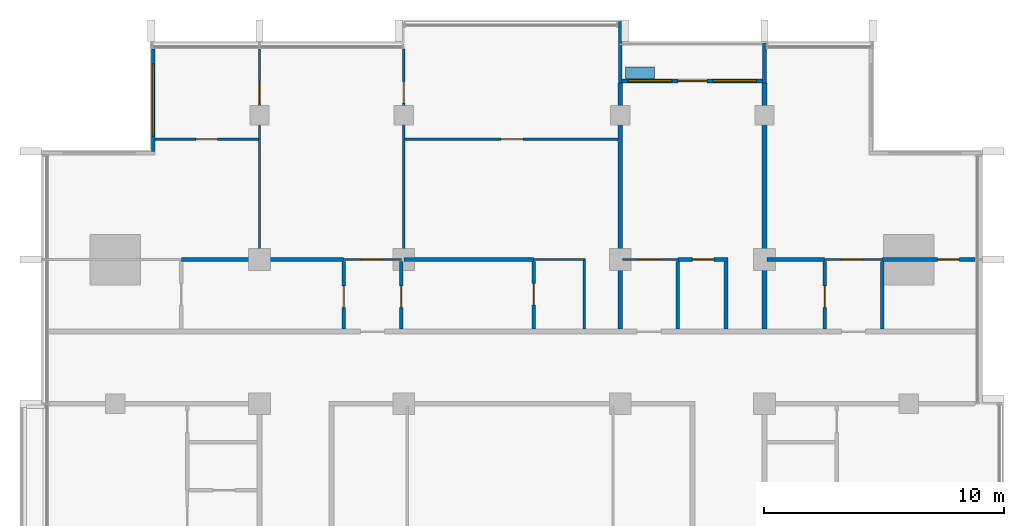
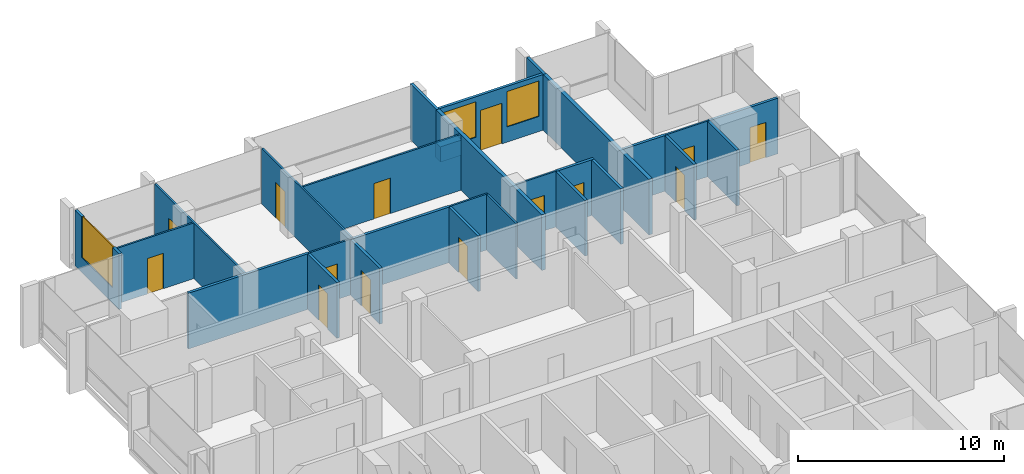
# One storey, part 10 of 16: 28 walls, 14 doors, 3 windows, 17 openings.
"""IFC4 building model written with IfcOpenShell, lengths in metres."""

import ifcopenshell
import ifcopenshell.guid

model = None  # the IFC model being written
_history = None  # IfcOwnerHistory: only IFC2X3 demands one
_inside = {}  # id of a spatial element -> (the spatial element, [elements in it])
_under = {}  # id of a project, library or spatial element -> (it, [spatial elements below it])
_declared = {}  # id of a project -> (the project, [libraries it declares])
_typed = {}  # id of a type object -> (the type object, [elements of that type])
_made_of = {}  # id of a material, layer set ... -> (it, [elements and type objects made of it])


def new_model(schema):
    """Start an empty IFC model of exactly this schema.

    Asked for "IFC4X3", IfcOpenShell would pick the latest addendum, in which some entities
    have other attributes; the version numbers below select the first issue.
    IFC2X3 requires an IfcOwnerHistory on every rooted entity: one is made here for all.
    """
    global model, _history
    if schema == "IFC4X3":
        model = ifcopenshell.file(schema_version=(4, 3, 0, 0))
    else:
        model = ifcopenshell.file(schema=schema)
    _inside.clear()
    _under.clear()
    _declared.clear()
    _typed.clear()
    _made_of.clear()
    _history = None
    if model.schema == "IFC2X3":
        org = make("IfcOrganization", Name="unknown")
        user = make(
            "IfcPersonAndOrganization",
            ThePerson=make("IfcPerson", FamilyName="unknown"),
            TheOrganization=org,
        )
        app = make(
            "IfcApplication",
            ApplicationDeveloper=org,
            Version="unknown",
            ApplicationFullName="unknown",
            ApplicationIdentifier="unknown",
        )
        _history = make(
            "IfcOwnerHistory",
            OwningUser=user,
            OwningApplication=app,
            ChangeAction="ADDED",
            CreationDate=0,
        )
    return model


def make(cls, **values):
    """One entity of the class cls with the attributes given. An attribute that is None is left unset."""
    return model.create_entity(
        cls, **{name: value for name, value in values.items() if value is not None}
    )


def rooted(cls, **values):
    """An entity with a GlobalId (a new one), such as an element, a storey or a relation."""
    return make(cls, GlobalId=ifcopenshell.guid.new(), OwnerHistory=_history, **values)


def si_unit(unit_type, name, prefix=None):
    """IfcSIUnit, for example si_unit("LENGTHUNIT", "METRE", prefix="MILLI")."""
    return make("IfcSIUnit", UnitType=unit_type, Prefix=prefix, Name=name)


def assignment(units):
    """IfcUnitAssignment: the units of a project."""
    return None if units is None else make("IfcUnitAssignment", Units=units)


def point(xyz):
    """IfcCartesianPoint."""
    return None if xyz is None else make("IfcCartesianPoint", Coordinates=xyz)


def direction(xyz):
    """IfcDirection."""
    return None if xyz is None else make("IfcDirection", DirectionRatios=xyz)


def frame(location, z_axis=None, x_axis=None):
    """IfcAxis2Placement3D, a coordinate frame: its origin and axes. An axis left out is left unset."""
    return make(
        "IfcAxis2Placement3D",
        Location=point(location),
        Axis=direction(z_axis),
        RefDirection=direction(x_axis),
    )


def frame_2d(location, x_axis=None):
    """IfcAxis2Placement2D, a coordinate frame in the plane: its origin and x axis."""
    return make(
        "IfcAxis2Placement2D", Location=point(location), RefDirection=direction(x_axis)
    )


def origin():
    """The frame at (0, 0, 0) with its axes left unset."""
    return frame((0.0, 0.0, 0.0))


def place(relative_to, where):
    """IfcLocalPlacement: puts the frame where relative to a parent placement (None: the world)."""
    return make(
        "IfcLocalPlacement", PlacementRelTo=relative_to, RelativePlacement=where
    )


def context(
    kind, dimensions, precision=None, world=None, true_north=None, identifier=None
):
    """IfcGeometricRepresentationContext, for example the 3D "Model" context."""
    return make(
        "IfcGeometricRepresentationContext",
        ContextIdentifier=identifier,
        ContextType=kind,
        CoordinateSpaceDimension=dimensions,
        Precision=precision,
        WorldCoordinateSystem=world,
        TrueNorth=true_north,
    )


def subcontext(parent, identifier, kind, view, scale=None):
    """IfcGeometricRepresentationSubContext, for example "Body" below "Model"."""
    return make(
        "IfcGeometricRepresentationSubContext",
        ContextIdentifier=identifier,
        ContextType=kind,
        ParentContext=parent,
        TargetScale=scale,
        TargetView=view,
    )


def project(units=None, contexts=None):
    """IfcProject with its units and contexts."""
    return rooted(
        "IfcProject",
        Name="project",
        RepresentationContexts=contexts,
        UnitsInContext=assignment(units),
    )


def spatial(cls, under=None, at=None, **own):
    """A site, building, storey or space (cls), placed at a placement, below another one or the project."""
    s = rooted(cls, ObjectPlacement=at, **own)
    if under is not None:
        _under.setdefault(under.id(), (under, []))[1].append(s)
    return s


def profile(cls, at=None, kind="AREA", **sizes):
    """A parametric profile (cls). Its sizes go by their IFC names, for example OverallWidth=200.0."""
    return make(cls, ProfileType=kind, Position=at, **sizes)


def rectangle(**sizes):
    """IfcRectangleProfileDef."""
    return profile("IfcRectangleProfileDef", **sizes)


def extrude(swept, where, along, depth):
    """IfcExtrudedAreaSolid: the profile swept, set in the frame where, extruded along a direction by depth."""
    return make(
        "IfcExtrudedAreaSolid",
        SweptArea=swept,
        Position=where,
        ExtrudedDirection=direction(along),
        Depth=depth,
    )


def shape(context_of_items, identifier, shape_type, items):
    """IfcShapeRepresentation: the items that make up one representation, for example the "Body"."""
    return make(
        "IfcShapeRepresentation",
        ContextOfItems=context_of_items,
        RepresentationIdentifier=identifier,
        RepresentationType=shape_type,
        Items=items,
    )


def material(Name=None, Category=None):
    """IfcMaterial."""
    return make("IfcMaterial", Name=Name, Category=Category)


def layer(
    of_material, thickness, ventilated=None, Name=None, Category=None, Priority=None
):
    """IfcMaterialLayer: one layer of a wall or slab, of a material (None: an air gap)."""
    return make(
        "IfcMaterialLayer",
        Material=of_material,
        LayerThickness=thickness,
        IsVentilated=ventilated,
        Name=Name,
        Category=Category,
        Priority=Priority,
    )


def layer_set(layers, Name=None):
    """IfcMaterialLayerSet."""
    return make("IfcMaterialLayerSet", MaterialLayers=layers, LayerSetName=Name)


def made_of(thing, what):
    """Note that an element or type object is made of a material, layer set ...; save() writes the relation."""
    if what is not None:
        _made_of.setdefault(what.id(), (what, []))[1].append(thing)
    return thing


def type_object(cls, material=None, **own):
    """A type object (cls), such as IfcWallType, which elements share."""
    return made_of(rooted(cls, **own), material)


def element(
    cls,
    number,
    at=None,
    inside=None,
    cuts=None,
    type_object=None,
    material=None,
    context=None,
    identifier="Body",
    shape_type=None,
    held_by="IfcProductDefinitionShape",
    body=None,
    shapes=None,
    **own,
):
    """One element of the class cls, such as IfcWall. Its Tag is "e" and its number.

    at: its placement. inside: the storey or other place that contains it. cuts: it is an
    opening in that element (IfcRelVoidsElement). A single representation is given by context,
    identifier, shape_type and body (its items); several are given by shapes. held_by: the class
    of the entity that holds the representations. save() writes the other relations.
    """
    e = rooted(cls, Tag="e%d" % number, ObjectPlacement=at, **own)
    if body is not None:
        shapes = [shape(context, identifier, shape_type, body)]
    if shapes is not None:
        e.Representation = make(held_by, Representations=shapes)
    if inside is not None:
        _inside.setdefault(inside.id(), (inside, []))[1].append(e)
    if cuts is not None:
        rooted(
            "IfcRelVoidsElement", RelatingBuildingElement=cuts, RelatedOpeningElement=e
        )
    if type_object is not None:
        _typed.setdefault(type_object.id(), (type_object, []))[1].append(e)
    return made_of(e, material)


def fill(opening, filler):
    """IfcRelFillsElement: the door or window that sits in an opening."""
    return rooted(
        "IfcRelFillsElement",
        RelatingOpeningElement=opening,
        RelatedBuildingElement=filler,
    )


def aggregate(whole, parts):
    """IfcRelAggregates: a whole, such as a stair, and the parts it consists of."""
    return rooted("IfcRelAggregates", RelatingObject=whole, RelatedObjects=parts)


def save(model, path):
    """Write the relations noted so far, then the file.

    IfcRelAggregates (storeys below a building ...), IfcRelContainedInSpatialStructure (elements
    in a storey), IfcRelDefinesByType, IfcRelAssociatesMaterial and IfcRelDeclares: one each for
    every whole, place, type object, material and project.
    """
    for whole, parts in _under.values():
        aggregate(whole, parts)
    for where, things in _inside.values():
        rooted(
            "IfcRelContainedInSpatialStructure",
            RelatedElements=things,
            RelatingStructure=where,
        )
    for kind, things in _typed.values():
        rooted("IfcRelDefinesByType", RelatedObjects=things, RelatingType=kind)
    for what, things in _made_of.values():
        rooted("IfcRelAssociatesMaterial", RelatedObjects=things, RelatingMaterial=what)
    for by, libraries in _declared.values():
        rooted("IfcRelDeclares", RelatingContext=by, RelatedDefinitions=libraries)
    model.write(path)


model = new_model("IFC4")

# Units and contexts
model_context = context("Model", 3, precision=1e-05, world=origin(), true_north=direction((0.0, 1.0)))
body_context = subcontext(model_context, "Body", "Model", "MODEL_VIEW")
ifc_project = project(units=[si_unit("LENGTHUNIT", "METRE"), si_unit("AREAUNIT", "SQUARE_METRE"), si_unit("VOLUMEUNIT", "CUBIC_METRE"), si_unit("PLANEANGLEUNIT", "RADIAN"), si_unit("MASSUNIT", "GRAM", prefix="KILO")], contexts=[model_context])

# Site, building, storey
site_placement = place(None, origin())
site = spatial("IfcSite", under=ifc_project, at=site_placement, CompositionType="ELEMENT")
building_placement = place(site_placement, origin())
building = spatial("IfcBuilding", under=site, at=building_placement, Name="Finial Court Residences", CompositionType="ELEMENT")
storey_placement = place(building_placement, frame((0.0, 0.0, 241.10009765625)))
storey = spatial("IfcBuildingStorey", under=building, at=storey_placement, Name="L61", CompositionType="ELEMENT", Elevation=241.10009765625)

# Walls
ifc_material_1 = material(Name="Gypsum board")
ifc_layer_1 = layer(ifc_material_1, 0.02490234375)
ifc_material_2 = material(Name="Acoustic mineral wool in double frame")
ifc_layer_2 = layer(ifc_material_2, 0.14990234375)
ifc_layer_3 = layer(ifc_material_1, 0.02490234375)
ifc_layer_set_1 = layer_set([ifc_layer_1, ifc_layer_2, ifc_layer_3], Name="Acoustic party wall 200, 1 hour")
wall_type_1 = type_object("IfcWallType", Name="Acoustic party wall 200, 1 hour", PredefinedType="PARTITIONING", material=ifc_layer_set_1)
for number, where, z_axis, x_axis, name in (
    (1, (4.5, 4.60009765625, 0.0), (0.0, 0.0, 1.0), (0.0, 1.0, 0.0), "Partition L61-043"),
    (2, (10.5, 4.60009765625, 0.0), (0.0, 0.0, 1.0), (0.0, 1.0, 0.0), "Partition L61-048"),
):
    element("IfcWall", number, at=place(storey_placement, frame(where, z_axis=z_axis, x_axis=x_axis)), inside=storey, type_object=wall_type_1, Name=name, PredefinedType="PARTITIONING", context=body_context, shape_type="SweptSolid", body=[
        extrude(rectangle(XDim=10.25, YDim=0.199951171875, at=frame_2d((5.125, 0.0))), origin(), (0.0, 0.0, 1.0), 3.2998046875),
    ])

# Wall, opening, door
ifc_layer_4 = layer(ifc_material_1, 0.012451171875)
ifc_material_3 = material(Name="Mineral wool in light-gauge frame")
ifc_layer_5 = layer(ifc_material_3, 0.074951171875)
ifc_layer_6 = layer(ifc_material_1, 0.012451171875)
ifc_layer_set_2 = layer_set([ifc_layer_4, ifc_layer_5, ifc_layer_6], Name="Gypsum board partition 100")
wall_type_2 = type_object("IfcWallType", Name="Gypsum board partition 100", PredefinedType="PARTITIONING", material=ifc_layer_set_2)
wall_1_placement = place(storey_placement, frame((-7.0, 7.5, 0.0), z_axis=(0.0, 0.0, 1.0), x_axis=(1.0, 0.0, 0.0)))
wall_1 = element("IfcWall", 3, at=wall_1_placement, inside=storey, type_object=wall_type_2, Name="Partition L61-018", PredefinedType="PARTITIONING", context=body_context, shape_type="SweptSolid", body=[
    extrude(rectangle(XDim=2.39990234375, YDim=0.10009765625, at=frame_2d((1.199951171875, 0.0))), origin(), (0.0, 0.0, 1.0), 3.2998046875),
])
opening_1_placement = place(wall_1_placement, frame((0.699951171875, 0.0, 0.0)))
opening_1 = element("IfcOpeningElement", 4, at=opening_1_placement, cuts=wall_1, Name="Opening L61-D019", PredefinedType="OPENING", context=body_context, shape_type="SweptSolid", body=[
    extrude(rectangle(XDim=0.89990234375, YDim=2.10009765625, at=frame_2d((0.449951171875, 1.050048828125))), frame((0.0, 0.06005859375, 0.0), z_axis=(0.0, -1.0, 0.0), x_axis=(1.0, 0.0, 0.0)), (0.0, 0.0, 1.0), 0.1201171875),
])
ifc_material_4 = material(Name="Timber door leaf in timber frame", Category="wood")
door_type_1 = type_object("IfcDoorType", Name="Door set 900 x 2100", OperationType="SINGLE_SWING_LEFT", PredefinedType="DOOR", material=ifc_material_4)
door_1_placement = place(opening_1_placement, origin())
door_1 = element("IfcDoor", 5, at=door_1_placement, inside=storey, type_object=door_type_1, Name="Door L61-D019", OperationType="SINGLE_SWING_RIGHT", OverallHeight=2.10009765625, OverallWidth=0.89990234375, PredefinedType="DOOR", context=body_context, shape_type="SweptSolid", body=[
    extrude(rectangle(XDim=0.89990234375, YDim=2.10009765625, at=frame_2d((0.449951171875, 1.050048828125))), frame((0.0, 0.02490234375, 0.0), z_axis=(0.0, -1.0, 0.0), x_axis=(1.0, 0.0, 0.0)), (0.0, 0.0, 1.0), 0.050048828125),
])
fill(opening_1, door_1)

# Wall
wall_2_placement = place(storey_placement, frame((0.89990234375, 7.5, 0.0), z_axis=(0.0, 0.0, 1.0), x_axis=(1.0, 0.0, 0.0)))
element("IfcWall", 6, at=wall_2_placement, inside=storey, type_object=wall_type_2, Name="Partition L61-019", PredefinedType="PARTITIONING", context=body_context, shape_type="SweptSolid", body=[
    extrude(rectangle(XDim=2.150146484375, YDim=0.10009765625, at=frame_2d((1.0751953125, 0.0))), origin(), (0.0, 0.0, 1.0), 3.2998046875),
])

# Wall, opening, door
wall_3_placement = place(storey_placement, frame((4.60009765625, 7.5, 0.0), z_axis=(0.0, 0.0, 1.0), x_axis=(1.0, 0.0, 0.0)))
wall_3 = element("IfcWall", 7, at=wall_3_placement, inside=storey, type_object=wall_type_2, Name="Partition L61-020", PredefinedType="PARTITIONING", context=body_context, shape_type="SweptSolid", body=[
    extrude(rectangle(XDim=2.2998046875, YDim=0.10009765625, at=frame_2d((1.14990234375, 0.0))), origin(), (0.0, 0.0, 1.0), 3.2998046875),
])
opening_2_placement = place(wall_3_placement, frame((0.699951171875, 0.0, 0.0)))
opening_2 = element("IfcOpeningElement", 8, at=opening_2_placement, cuts=wall_3, Name="Opening L61-D020", PredefinedType="OPENING", context=body_context, shape_type="SweptSolid", body=[
    extrude(rectangle(XDim=0.89990234375, YDim=2.10009765625, at=frame_2d((0.449951171875, 1.050048828125))), frame((0.0, 0.06005859375, 0.0), z_axis=(0.0, -1.0, 0.0), x_axis=(1.0, 0.0, 0.0)), (0.0, 0.0, 1.0), 0.1201171875),
])
door_2_placement = place(opening_2_placement, origin())
door_2 = element("IfcDoor", 9, at=door_2_placement, inside=storey, type_object=door_type_1, Name="Door L61-D020", OperationType="SINGLE_SWING_RIGHT", OverallHeight=2.10009765625, OverallWidth=0.89990234375, PredefinedType="DOOR", context=body_context, shape_type="SweptSolid", body=[
    extrude(rectangle(XDim=0.89990234375, YDim=2.10009765625, at=frame_2d((0.449951171875, 1.050048828125))), frame((0.0, 0.02490234375, 0.0), z_axis=(0.0, -1.0, 0.0), x_axis=(1.0, 0.0, 0.0)), (0.0, 0.0, 1.0), 0.050048828125),
])
fill(opening_2, door_2)

wall_4_placement = place(storey_placement, frame((13.0, 7.5, 0.0), z_axis=(0.0, 0.0, 1.0), x_axis=(1.0, 0.0, 0.0)))
wall_4 = element("IfcWall", 10, at=wall_4_placement, inside=storey, type_object=wall_type_2, Name="Partition L61-021", PredefinedType="PARTITIONING", context=body_context, shape_type="SweptSolid", body=[
    extrude(rectangle(XDim=2.39990234375, YDim=0.10009765625, at=frame_2d((1.199951171875, 0.0))), origin(), (0.0, 0.0, 1.0), 3.2998046875),
])
opening_3_placement = place(wall_4_placement, frame((0.699951171875, 0.0, 0.0)))
opening_3 = element("IfcOpeningElement", 11, at=opening_3_placement, cuts=wall_4, Name="Opening L61-D021", PredefinedType="OPENING", context=body_context, shape_type="SweptSolid", body=[
    extrude(rectangle(XDim=0.89990234375, YDim=2.10009765625, at=frame_2d((0.449951171875, 1.050048828125))), frame((0.0, 0.06005859375, 0.0), z_axis=(0.0, -1.0, 0.0), x_axis=(1.0, 0.0, 0.0)), (0.0, 0.0, 1.0), 0.1201171875),
])
door_3_placement = place(opening_3_placement, origin())
door_3 = element("IfcDoor", 12, at=door_3_placement, inside=storey, type_object=door_type_1, Name="Door L61-D021", OperationType="SINGLE_SWING_RIGHT", OverallHeight=2.10009765625, OverallWidth=0.89990234375, PredefinedType="DOOR", context=body_context, shape_type="SweptSolid", body=[
    extrude(rectangle(XDim=0.89990234375, YDim=2.10009765625, at=frame_2d((0.449951171875, 1.050048828125))), frame((0.0, 0.02490234375, 0.0), z_axis=(0.0, -1.0, 0.0), x_axis=(1.0, 0.0, 0.0)), (0.0, 0.0, 1.0), 0.050048828125),
])
fill(opening_3, door_3)

wall_5_placement = place(storey_placement, frame((-14.85009765625, 12.5, 0.0), z_axis=(0.0, 0.0, 1.0), x_axis=(1.0, 0.0, 0.0)))
wall_5 = element("IfcWall", 13, at=wall_5_placement, inside=storey, type_object=wall_type_2, Name="Partition L61-027", PredefinedType="PARTITIONING", context=body_context, shape_type="SweptSolid", body=[
    extrude(rectangle(XDim=4.300048828125, YDim=0.10009765625, at=frame_2d((2.14990234375, 0.0))), origin(), (0.0, 0.0, 1.0), 3.2998046875),
])
opening_4_placement = place(wall_5_placement, frame((1.699951171875, 0.0, 0.0)))
opening_4 = element("IfcOpeningElement", 14, at=opening_4_placement, cuts=wall_5, Name="Opening L61-D024", PredefinedType="OPENING", context=body_context, shape_type="SweptSolid", body=[
    extrude(rectangle(XDim=0.89990234375, YDim=2.10009765625, at=frame_2d((0.449951171875, 1.050048828125))), frame((0.0, 0.06005859375, 0.0), z_axis=(0.0, -1.0, 0.0), x_axis=(1.0, 0.0, 0.0)), (0.0, 0.0, 1.0), 0.1201171875),
])
door_4_placement = place(opening_4_placement, origin())
door_4 = element("IfcDoor", 15, at=door_4_placement, inside=storey, type_object=door_type_1, Name="Door L61-D024", OperationType="SINGLE_SWING_RIGHT", OverallHeight=2.10009765625, OverallWidth=0.89990234375, PredefinedType="DOOR", context=body_context, shape_type="SweptSolid", body=[
    extrude(rectangle(XDim=0.89990234375, YDim=2.10009765625, at=frame_2d((0.449951171875, 1.050048828125))), frame((0.0, 0.02490234375, 0.0), z_axis=(0.0, -1.0, 0.0), x_axis=(1.0, 0.0, 0.0)), (0.0, 0.0, 1.0), 0.050048828125),
])
fill(opening_4, door_4)

wall_6_placement = place(storey_placement, frame((-4.449951171875, 12.5, 0.0), z_axis=(0.0, 0.0, 1.0), x_axis=(1.0, 0.0, 0.0)))
wall_6 = element("IfcWall", 16, at=wall_6_placement, inside=storey, type_object=wall_type_2, Name="Partition L61-028", PredefinedType="PARTITIONING", context=body_context, shape_type="SweptSolid", body=[
    extrude(rectangle(XDim=8.849853515625, YDim=0.10009765625, at=frame_2d((4.4248046875, 0.0))), origin(), (0.0, 0.0, 1.0), 3.2998046875),
])
opening_5_placement = place(wall_6_placement, frame((4.0, 0.0, 0.0)))
opening_5 = element("IfcOpeningElement", 17, at=opening_5_placement, cuts=wall_6, Name="Opening L61-D025", PredefinedType="OPENING", context=body_context, shape_type="SweptSolid", body=[
    extrude(rectangle(XDim=0.89990234375, YDim=2.10009765625, at=frame_2d((0.449951171875, 1.050048828125))), frame((0.0, 0.06005859375, 0.0), z_axis=(0.0, -1.0, 0.0), x_axis=(1.0, 0.0, 0.0)), (0.0, 0.0, 1.0), 0.1201171875),
])
door_5_placement = place(opening_5_placement, origin())
door_5 = element("IfcDoor", 18, at=door_5_placement, inside=storey, type_object=door_type_1, Name="Door L61-D025", OperationType="SINGLE_SWING_LEFT", OverallHeight=2.10009765625, OverallWidth=0.89990234375, PredefinedType="DOOR", context=body_context, shape_type="SweptSolid", body=[
    extrude(rectangle(XDim=0.89990234375, YDim=2.10009765625, at=frame_2d((0.449951171875, 1.050048828125))), frame((0.0, 0.02490234375, 0.0), z_axis=(0.0, -1.0, 0.0), x_axis=(1.0, 0.0, 0.0)), (0.0, 0.0, 1.0), 0.050048828125),
])
fill(opening_5, door_5)

wall_7_placement = place(storey_placement, frame((-10.5, 7.574951171875, 0.0), z_axis=(0.0, 0.0, 1.0), x_axis=(0.0, 1.0, 0.0)))
wall_7 = element("IfcWall", 19, at=wall_7_placement, inside=storey, type_object=wall_type_2, Name="Partition L61-034", PredefinedType="PARTITIONING", context=body_context, shape_type="SweptSolid", body=[
    extrude(rectangle(XDim=8.6875, YDim=0.10009765625, at=frame_2d((4.34375, 0.0))), origin(), (0.0, 0.0, 1.0), 3.2998046875),
])
opening_6_placement = place(wall_7_placement, frame((6.425048828125, 0.0, 0.0)))
opening_6 = element("IfcOpeningElement", 20, at=opening_6_placement, cuts=wall_7, Name="Opening L61-D029", PredefinedType="OPENING", context=body_context, shape_type="SweptSolid", body=[
    extrude(rectangle(XDim=0.89990234375, YDim=2.10009765625, at=frame_2d((0.449951171875, 1.050048828125))), frame((0.0, 0.06005859375, 0.0), z_axis=(0.0, -1.0, 0.0), x_axis=(1.0, 0.0, 0.0)), (0.0, 0.0, 1.0), 0.1201171875),
])
door_6_placement = place(opening_6_placement, origin())
door_6 = element("IfcDoor", 21, at=door_6_placement, inside=storey, type_object=door_type_1, Name="Door L61-D029", OperationType="SINGLE_SWING_LEFT", OverallHeight=2.10009765625, OverallWidth=0.89990234375, PredefinedType="DOOR", context=body_context, shape_type="SweptSolid", body=[
    extrude(rectangle(XDim=0.89990234375, YDim=2.10009765625, at=frame_2d((0.449951171875, 1.050048828125))), frame((0.0, 0.02490234375, 0.0), z_axis=(0.0, -1.0, 0.0), x_axis=(1.0, 0.0, 0.0)), (0.0, 0.0, 1.0), 0.050048828125),
])
fill(opening_6, door_6)

wall_8_placement = place(storey_placement, frame((-4.5, 7.574951171875, 0.0), z_axis=(0.0, 0.0, 1.0), x_axis=(0.0, 1.0, 0.0)))
wall_8 = element("IfcWall", 22, at=wall_8_placement, inside=storey, type_object=wall_type_2, Name="Partition L61-038", PredefinedType="PARTITIONING", context=body_context, shape_type="SweptSolid", body=[
    extrude(rectangle(XDim=8.6875, YDim=0.10009765625, at=frame_2d((4.34375, 0.0))), origin(), (0.0, 0.0, 1.0), 3.2998046875),
])
opening_7_placement = place(wall_8_placement, frame((6.425048828125, 0.0, 0.0)))
opening_7 = element("IfcOpeningElement", 23, at=opening_7_placement, cuts=wall_8, Name="Opening L61-D032", PredefinedType="OPENING", context=body_context, shape_type="SweptSolid", body=[
    extrude(rectangle(XDim=0.89990234375, YDim=2.10009765625, at=frame_2d((0.449951171875, 1.050048828125))), frame((0.0, 0.06005859375, 0.0), z_axis=(0.0, -1.0, 0.0), x_axis=(1.0, 0.0, 0.0)), (0.0, 0.0, 1.0), 0.1201171875),
])
door_7_placement = place(opening_7_placement, origin())
door_7 = element("IfcDoor", 24, at=door_7_placement, inside=storey, type_object=door_type_1, Name="Door L61-D032", OperationType="SINGLE_SWING_RIGHT", OverallHeight=2.10009765625, OverallWidth=0.89990234375, PredefinedType="DOOR", context=body_context, shape_type="SweptSolid", body=[
    extrude(rectangle(XDim=0.89990234375, YDim=2.10009765625, at=frame_2d((0.449951171875, 1.050048828125))), frame((0.0, 0.02490234375, 0.0), z_axis=(0.0, -1.0, 0.0), x_axis=(1.0, 0.0, 0.0)), (0.0, 0.0, 1.0), 0.050048828125),
])
fill(opening_7, door_7)

# Walls
wall_9_placement = place(storey_placement, frame((3.0, 4.60009765625, 0.0), z_axis=(0.0, 0.0, 1.0), x_axis=(0.0, 1.0, 0.0)))
element("IfcWall", 25, at=wall_9_placement, inside=storey, type_object=wall_type_2, Name="Partition L61-041", PredefinedType="PARTITIONING", context=body_context, shape_type="SweptSolid", body=[
    extrude(rectangle(XDim=2.849853515625, YDim=0.10009765625, at=frame_2d((1.4248046875, 0.0))), origin(), (0.0, 0.0, 1.0), 3.2998046875),
])
ifc_material_5 = material(Name="Moisture-resistant gypsum board")
ifc_layer_7 = layer(ifc_material_5, 0.012451171875)
ifc_layer_8 = layer(ifc_material_3, 0.125)
ifc_layer_9 = layer(ifc_material_5, 0.012451171875)
ifc_layer_set_3 = layer_set([ifc_layer_7, ifc_layer_8, ifc_layer_9], Name="Gypsum board wet-area partition 150")
wall_type_3 = type_object("IfcWallType", Name="Gypsum board wet-area partition 150", PredefinedType="PARTITIONING", material=ifc_layer_set_3)
wall_10_placement = place(storey_placement, frame((-13.75, 7.5, 0.0), z_axis=(0.0, 0.0, 1.0), x_axis=(1.0, 0.0, 0.0)))
element("IfcWall", 26, at=wall_10_placement, inside=storey, type_object=wall_type_3, Name="Partition L61-022", PredefinedType="PARTITIONING", context=body_context, shape_type="SweptSolid", body=[
    extrude(rectangle(XDim=6.75, YDim=0.14990234375, at=frame_2d((3.375, 0.0))), origin(), (0.0, 0.0, 1.0), 3.2998046875),
])
wall_11_placement = place(storey_placement, frame((-4.5, 7.5, 0.0), z_axis=(0.0, 0.0, 1.0), x_axis=(1.0, 0.0, 0.0)))
element("IfcWall", 27, at=wall_11_placement, inside=storey, type_object=wall_type_3, Name="Partition L61-023", PredefinedType="PARTITIONING", context=body_context, shape_type="SweptSolid", body=[
    extrude(rectangle(XDim=5.39990234375, YDim=0.14990234375, at=frame_2d((2.699951171875, 0.0))), origin(), (0.0, 0.0, 1.0), 3.2998046875),
])

# Wall, opening, door
wall_12_placement = place(storey_placement, frame((6.89990234375, 7.5, 0.0), z_axis=(0.0, 0.0, 1.0), x_axis=(1.0, 0.0, 0.0)))
wall_12 = element("IfcWall", 28, at=wall_12_placement, inside=storey, type_object=wall_type_3, Name="Partition L61-024", PredefinedType="PARTITIONING", context=body_context, shape_type="SweptSolid", body=[
    extrude(rectangle(XDim=2.0751953125, YDim=0.14990234375, at=frame_2d((1.03759765625, 0.0))), origin(), (0.0, 0.0, 1.0), 3.2998046875),
])
opening_8_placement = place(wall_12_placement, frame((0.60009765625, 0.0, 0.0)))
opening_8 = element("IfcOpeningElement", 29, at=opening_8_placement, cuts=wall_12, Name="Opening L61-D022", PredefinedType="OPENING", context=body_context, shape_type="SweptSolid", body=[
    extrude(rectangle(XDim=0.89990234375, YDim=2.10009765625, at=frame_2d((0.449951171875, 1.050048828125))), frame((0.0, 0.0849609375, 0.0), z_axis=(0.0, -1.0, 0.0), x_axis=(1.0, 0.0, 0.0)), (0.0, 0.0, 1.0), 0.169921875),
])
door_8_placement = place(opening_8_placement, origin())
door_8 = element("IfcDoor", 30, at=door_8_placement, inside=storey, type_object=door_type_1, Name="Door L61-D022", OperationType="SINGLE_SWING_LEFT", OverallHeight=2.10009765625, OverallWidth=0.89990234375, PredefinedType="DOOR", context=body_context, shape_type="SweptSolid", body=[
    extrude(rectangle(XDim=0.89990234375, YDim=2.10009765625, at=frame_2d((0.449951171875, 1.050048828125))), frame((0.0, 0.02490234375, 0.0), z_axis=(0.0, -1.0, 0.0), x_axis=(1.0, 0.0, 0.0)), (0.0, 0.0, 1.0), 0.050048828125),
])
fill(opening_8, door_8)

# Wall
wall_13_placement = place(storey_placement, frame((10.60009765625, 7.5, 0.0), z_axis=(0.0, 0.0, 1.0), x_axis=(1.0, 0.0, 0.0)))
element("IfcWall", 31, at=wall_13_placement, inside=storey, type_object=wall_type_3, Name="Partition L61-025", PredefinedType="PARTITIONING", context=body_context, shape_type="SweptSolid", body=[
    extrude(rectangle(XDim=2.39990234375, YDim=0.14990234375, at=frame_2d((1.199951171875, 0.0))), origin(), (0.0, 0.0, 1.0), 3.2998046875),
])

# Wall, opening, door
wall_14_placement = place(storey_placement, frame((15.39990234375, 7.5, 0.0), z_axis=(0.0, 0.0, 1.0), x_axis=(1.0, 0.0, 0.0)))
wall_14 = element("IfcWall", 32, at=wall_14_placement, inside=storey, type_object=wall_type_3, Name="Partition L61-026", PredefinedType="PARTITIONING", context=body_context, shape_type="SweptSolid", body=[
    extrude(rectangle(XDim=3.862548828125, YDim=0.14990234375, at=frame_2d((1.93115234375, 0.0))), origin(), (0.0, 0.0, 1.0), 3.2998046875),
])
opening_9_placement = place(wall_14_placement, frame((2.300048828125, 0.0, 0.0)))
opening_9 = element("IfcOpeningElement", 33, at=opening_9_placement, cuts=wall_14, Name="Opening L61-D023", PredefinedType="OPENING", context=body_context, shape_type="SweptSolid", body=[
    extrude(rectangle(XDim=0.89990234375, YDim=2.10009765625, at=frame_2d((0.449951171875, 1.050048828125))), frame((0.0, 0.0849609375, 0.0), z_axis=(0.0, -1.0, 0.0), x_axis=(1.0, 0.0, 0.0)), (0.0, 0.0, 1.0), 0.169921875),
])
door_9_placement = place(opening_9_placement, origin())
door_9 = element("IfcDoor", 34, at=door_9_placement, inside=storey, type_object=door_type_1, Name="Door L61-D023", OperationType="SINGLE_SWING_RIGHT", OverallHeight=2.10009765625, OverallWidth=0.89990234375, PredefinedType="DOOR", context=body_context, shape_type="SweptSolid", body=[
    extrude(rectangle(XDim=0.89990234375, YDim=2.10009765625, at=frame_2d((0.449951171875, 1.050048828125))), frame((0.0, 0.02490234375, 0.0), z_axis=(0.0, -1.0, 0.0), x_axis=(1.0, 0.0, 0.0)), (0.0, 0.0, 1.0), 0.050048828125),
])
fill(opening_9, door_9)

wall_15_placement = place(storey_placement, frame((-7.0, 4.60009765625, 0.0), z_axis=(0.0, 0.0, 1.0), x_axis=(0.0, 1.0, 0.0)))
wall_15 = element("IfcWall", 35, at=wall_15_placement, inside=storey, type_object=wall_type_3, Name="Partition L61-036", PredefinedType="PARTITIONING", context=body_context, shape_type="SweptSolid", body=[
    extrude(rectangle(XDim=2.824951171875, YDim=0.14990234375, at=frame_2d((1.41259765625, 0.0))), origin(), (0.0, 0.0, 1.0), 3.2998046875),
])
opening_10_placement = place(wall_15_placement, frame((0.89990234375, 0.0, 0.0)))
opening_10 = element("IfcOpeningElement", 36, at=opening_10_placement, cuts=wall_15, Name="Opening L61-D030", PredefinedType="OPENING", context=body_context, shape_type="SweptSolid", body=[
    extrude(rectangle(XDim=0.89990234375, YDim=2.10009765625, at=frame_2d((0.449951171875, 1.050048828125))), frame((0.0, 0.0849609375, 0.0), z_axis=(0.0, -1.0, 0.0), x_axis=(1.0, 0.0, 0.0)), (0.0, 0.0, 1.0), 0.169921875),
])
door_10_placement = place(opening_10_placement, origin())
door_10 = element("IfcDoor", 37, at=door_10_placement, inside=storey, type_object=door_type_1, Name="Door L61-D030", OperationType="SINGLE_SWING_LEFT", OverallHeight=2.10009765625, OverallWidth=0.89990234375, PredefinedType="DOOR", context=body_context, shape_type="SweptSolid", body=[
    extrude(rectangle(XDim=0.89990234375, YDim=2.10009765625, at=frame_2d((0.449951171875, 1.050048828125))), frame((0.0, 0.02490234375, 0.0), z_axis=(0.0, -1.0, 0.0), x_axis=(1.0, 0.0, 0.0)), (0.0, 0.0, 1.0), 0.050048828125),
])
fill(opening_10, door_10)

wall_16_placement = place(storey_placement, frame((-4.60009765625, 4.60009765625, 0.0), z_axis=(0.0, 0.0, 1.0), x_axis=(0.0, 1.0, 0.0)))
wall_16 = element("IfcWall", 38, at=wall_16_placement, inside=storey, type_object=wall_type_3, Name="Partition L61-037", PredefinedType="PARTITIONING", context=body_context, shape_type="SweptSolid", body=[
    extrude(rectangle(XDim=2.824951171875, YDim=0.14990234375, at=frame_2d((1.41259765625, 0.0))), origin(), (0.0, 0.0, 1.0), 3.2998046875),
])
opening_11_placement = place(wall_16_placement, frame((0.89990234375, 0.0, 0.0)))
opening_11 = element("IfcOpeningElement", 39, at=opening_11_placement, cuts=wall_16, Name="Opening L61-D031", PredefinedType="OPENING", context=body_context, shape_type="SweptSolid", body=[
    extrude(rectangle(XDim=0.89990234375, YDim=2.10009765625, at=frame_2d((0.449951171875, 1.050048828125))), frame((0.0, 0.0849609375, 0.0), z_axis=(0.0, -1.0, 0.0), x_axis=(1.0, 0.0, 0.0)), (0.0, 0.0, 1.0), 0.169921875),
])
door_11_placement = place(opening_11_placement, origin())
door_11 = element("IfcDoor", 40, at=door_11_placement, inside=storey, type_object=door_type_1, Name="Door L61-D031", OperationType="SINGLE_SWING_RIGHT", OverallHeight=2.10009765625, OverallWidth=0.89990234375, PredefinedType="DOOR", context=body_context, shape_type="SweptSolid", body=[
    extrude(rectangle(XDim=0.89990234375, YDim=2.10009765625, at=frame_2d((0.449951171875, 1.050048828125))), frame((0.0, 0.02490234375, 0.0), z_axis=(0.0, -1.0, 0.0), x_axis=(1.0, 0.0, 0.0)), (0.0, 0.0, 1.0), 0.050048828125),
])
fill(opening_11, door_11)

wall_17_placement = place(storey_placement, frame((0.89990234375, 4.60009765625, 0.0), z_axis=(0.0, 0.0, 1.0), x_axis=(0.0, 1.0, 0.0)))
wall_17 = element("IfcWall", 41, at=wall_17_placement, inside=storey, type_object=wall_type_3, Name="Partition L61-040", PredefinedType="PARTITIONING", context=body_context, shape_type="SweptSolid", body=[
    extrude(rectangle(XDim=2.824951171875, YDim=0.14990234375, at=frame_2d((1.41259765625, 0.0))), origin(), (0.0, 0.0, 1.0), 3.2998046875),
])
opening_12_placement = place(wall_17_placement, frame((1.0, 0.0, 0.0)))
opening_12 = element("IfcOpeningElement", 42, at=opening_12_placement, cuts=wall_17, Name="Opening L61-D033", PredefinedType="OPENING", context=body_context, shape_type="SweptSolid", body=[
    extrude(rectangle(XDim=0.89990234375, YDim=2.10009765625, at=frame_2d((0.449951171875, 1.050048828125))), frame((0.0, 0.0849609375, 0.0), z_axis=(0.0, -1.0, 0.0), x_axis=(1.0, 0.0, 0.0)), (0.0, 0.0, 1.0), 0.169921875),
])
door_12_placement = place(opening_12_placement, origin())
door_12 = element("IfcDoor", 43, at=door_12_placement, inside=storey, type_object=door_type_1, Name="Door L61-D033", OperationType="SINGLE_SWING_RIGHT", OverallHeight=2.10009765625, OverallWidth=0.89990234375, PredefinedType="DOOR", context=body_context, shape_type="SweptSolid", body=[
    extrude(rectangle(XDim=0.89990234375, YDim=2.10009765625, at=frame_2d((0.449951171875, 1.050048828125))), frame((0.0, 0.02490234375, 0.0), z_axis=(0.0, -1.0, 0.0), x_axis=(1.0, 0.0, 0.0)), (0.0, 0.0, 1.0), 0.050048828125),
])
fill(opening_12, door_12)

# Walls
for number, where, z_axis, x_axis, name in (
    (44, (6.89990234375, 4.60009765625, 0.0), (0.0, 0.0, 1.0), (0.0, 1.0, 0.0), "Partition L61-044"),
    (45, (8.89990234375, 4.60009765625, 0.0), (0.0, 0.0, 1.0), (0.0, 1.0, 0.0), "Partition L61-046"),
):
    element("IfcWall", number, at=place(storey_placement, frame(where, z_axis=z_axis, x_axis=x_axis)), inside=storey, type_object=wall_type_3, Name=name, PredefinedType="PARTITIONING", context=body_context, shape_type="SweptSolid", body=[
        extrude(rectangle(XDim=2.824951171875, YDim=0.14990234375, at=frame_2d((1.41259765625, 0.0))), origin(), (0.0, 0.0, 1.0), 3.2998046875),
    ])

# Wall, opening, door
wall_18_placement = place(storey_placement, frame((13.0, 4.60009765625, 0.0), z_axis=(0.0, 0.0, 1.0), x_axis=(0.0, 1.0, 0.0)))
wall_18 = element("IfcWall", 46, at=wall_18_placement, inside=storey, type_object=wall_type_3, Name="Partition L61-049", PredefinedType="PARTITIONING", context=body_context, shape_type="SweptSolid", body=[
    extrude(rectangle(XDim=2.824951171875, YDim=0.14990234375, at=frame_2d((1.41259765625, 0.0))), origin(), (0.0, 0.0, 1.0), 3.2998046875),
])
opening_13_placement = place(wall_18_placement, frame((0.89990234375, 0.0, 0.0)))
opening_13 = element("IfcOpeningElement", 47, at=opening_13_placement, cuts=wall_18, Name="Opening L61-D034", PredefinedType="OPENING", context=body_context, shape_type="SweptSolid", body=[
    extrude(rectangle(XDim=0.89990234375, YDim=2.10009765625, at=frame_2d((0.449951171875, 1.050048828125))), frame((0.0, 0.0849609375, 0.0), z_axis=(0.0, -1.0, 0.0), x_axis=(1.0, 0.0, 0.0)), (0.0, 0.0, 1.0), 0.169921875),
])
door_13_placement = place(opening_13_placement, origin())
door_13 = element("IfcDoor", 48, at=door_13_placement, inside=storey, type_object=door_type_1, Name="Door L61-D034", OperationType="SINGLE_SWING_RIGHT", OverallHeight=2.10009765625, OverallWidth=0.89990234375, PredefinedType="DOOR", context=body_context, shape_type="SweptSolid", body=[
    extrude(rectangle(XDim=0.89990234375, YDim=2.10009765625, at=frame_2d((0.449951171875, 1.050048828125))), frame((0.0, 0.02490234375, 0.0), z_axis=(0.0, -1.0, 0.0), x_axis=(1.0, 0.0, 0.0)), (0.0, 0.0, 1.0), 0.050048828125),
])
fill(opening_13, door_13)

# Wall
wall_19_placement = place(storey_placement, frame((15.39990234375, 4.60009765625, 0.0), z_axis=(0.0, 0.0, 1.0), x_axis=(0.0, 1.0, 0.0)))
element("IfcWall", 49, at=wall_19_placement, inside=storey, type_object=wall_type_3, Name="Partition L61-052", PredefinedType="PARTITIONING", context=body_context, shape_type="SweptSolid", body=[
    extrude(rectangle(XDim=2.824951171875, YDim=0.14990234375, at=frame_2d((1.41259765625, 0.0))), origin(), (0.0, 0.0, 1.0), 3.2998046875),
])

# Wall, opening, window
ifc_material_6 = material(Name="Natural limestone", Category="masonry")
ifc_layer_10 = layer(ifc_material_6, 0.14990234375)
ifc_layer_set_4 = layer_set([ifc_layer_10], Name="Limestone clad wall 150")
wall_type_4 = type_object("IfcWallType", Name="Limestone clad wall 150", PredefinedType="SOLIDWALL", material=ifc_layer_set_4)
wall_20_placement = place(storey_placement, frame((-14.925048828125, 12.0, 0.0), z_axis=(0.0, 0.0, 1.0), x_axis=(0.0, 1.0, 0.0)))
wall_20 = element("IfcWall", 50, at=wall_20_placement, inside=storey, type_object=wall_type_4, Name="E-L61-NWW16", PredefinedType="SOLIDWALL", context=body_context, shape_type="SweptSolid", body=[
    extrude(rectangle(XDim=4.262451171875, YDim=0.14990234375, at=frame_2d((2.13134765625, 0.0))), origin(), (0.0, 0.0, 1.0), 3.2998046875),
])
opening_14_placement = place(wall_20_placement, frame((0.631103515625, 0.0, 0.89990234375)))
opening_14 = element("IfcOpeningElement", 51, at=opening_14_placement, cuts=wall_20, Name="Opening WE61-05", PredefinedType="OPENING", context=body_context, shape_type="SweptSolid", body=[
    extrude(rectangle(XDim=3.0, YDim=2.39990234375, at=frame_2d((1.5, 1.199951171875))), frame((0.0, 0.0849609375, 0.0), z_axis=(0.0, -1.0, 0.0), x_axis=(1.0, 0.0, 0.0)), (0.0, 0.0, 1.0), 0.169921875),
])
ifc_material_7 = material(Name="Clear low-e glass", Category="glass")
window_type_1 = type_object("IfcWindowType", Name="Corner window 3000 x 2400", PartitioningType="SINGLE_PANEL", PredefinedType="WINDOW", material=ifc_material_7)
window_1_placement = place(opening_14_placement, origin())
window_1 = element("IfcWindow", 52, at=window_1_placement, inside=storey, type_object=window_type_1, Name="E-L61-NWW16-W1", OverallHeight=2.39990234375, OverallWidth=3.0, PartitioningType="SINGLE_PANEL", PredefinedType="WINDOW", context=body_context, shape_type="SweptSolid", body=[
    extrude(rectangle(XDim=3.0, YDim=2.39990234375, at=frame_2d((1.5, 1.199951171875))), frame((0.0, 0.030029296875, 0.0), z_axis=(0.0, -1.0, 0.0), x_axis=(1.0, 0.0, 0.0)), (0.0, 0.0, 1.0), 0.06005859375),
])
fill(opening_14, window_1)

# Walls
wall_21_placement = place(storey_placement, frame((4.5, 14.85009765625, 0.0), z_axis=(0.0, 0.0, 1.0), x_axis=(0.0, 1.0, 0.0)))
element("IfcWall", 53, at=wall_21_placement, inside=storey, type_object=wall_type_4, Name="E-L61-BALN4-P1", PredefinedType="SOLIDWALL", context=body_context, shape_type="SweptSolid", body=[
    extrude(rectangle(XDim=2.5498046875, YDim=0.14990234375, at=frame_2d((1.27490234375, 0.0))), origin(), (0.0, 0.0, 1.0), 3.2998046875),
])
wall_22_placement = place(storey_placement, frame((10.5, 14.85009765625, 0.0), z_axis=(0.0, 0.0, 1.0), x_axis=(0.0, 1.0, 0.0)))
element("IfcWall", 54, at=wall_22_placement, inside=storey, type_object=wall_type_4, Name="E-L61-BALN4-P2", PredefinedType="SOLIDWALL", context=body_context, shape_type="SweptSolid", body=[
    extrude(rectangle(XDim=1.64990234375, YDim=0.14990234375, at=frame_2d((0.824951171875, 0.0))), origin(), (0.0, 0.0, 1.0), 3.2998046875),
])

# Wall, openings, door, windows
wall_23_placement = place(storey_placement, frame((4.574951171875, 14.925048828125, 0.0), z_axis=(0.0, 0.0, 1.0), x_axis=(1.0, 0.0, 0.0)))
wall_23 = element("IfcWall", 55, at=wall_23_placement, inside=storey, type_object=wall_type_4, Name="E-L61-L61-BALN4-W", PredefinedType="SOLIDWALL", context=body_context, shape_type="SweptSolid", body=[
    extrude(rectangle(XDim=5.85009765625, YDim=0.14990234375, at=frame_2d((2.925048828125, 0.0))), origin(), (0.0, 0.0, 1.0), 3.2998046875),
])
opening_15_placement = place(wall_23_placement, frame((2.324951171875, 0.0, 0.0)))
opening_15 = element("IfcOpeningElement", 56, at=opening_15_placement, cuts=wall_23, Name="Opening DE61-01", PredefinedType="OPENING", context=body_context, shape_type="SweptSolid", body=[
    extrude(rectangle(XDim=1.199951171875, YDim=2.39990234375, at=frame_2d((0.60009765625, 1.199951171875))), frame((0.0, 0.0849609375, 0.0), z_axis=(0.0, -1.0, 0.0), x_axis=(1.0, 0.0, 0.0)), (0.0, 0.0, 1.0), 0.169921875),
])
opening_16_placement = place(wall_23_placement, frame((0.262451171875, 0.0, 0.89990234375)))
opening_16 = element("IfcOpeningElement", 57, at=opening_16_placement, cuts=wall_23, Name="Opening WE61-09", PredefinedType="OPENING", context=body_context, shape_type="SweptSolid", body=[
    extrude(rectangle(XDim=1.800048828125, YDim=2.10009765625, at=frame_2d((0.89990234375, 1.050048828125))), frame((0.0, 0.0849609375, 0.0), z_axis=(0.0, -1.0, 0.0), x_axis=(1.0, 0.0, 0.0)), (0.0, 0.0, 1.0), 0.169921875),
])
opening_17_placement = place(wall_23_placement, frame((3.78759765625, 0.0, 0.89990234375)))
opening_17 = element("IfcOpeningElement", 58, at=opening_17_placement, cuts=wall_23, Name="Opening WE61-10", PredefinedType="OPENING", context=body_context, shape_type="SweptSolid", body=[
    extrude(rectangle(XDim=1.800048828125, YDim=2.10009765625, at=frame_2d((0.89990234375, 1.050048828125))), frame((0.0, 0.0849609375, 0.0), z_axis=(0.0, -1.0, 0.0), x_axis=(1.0, 0.0, 0.0)), (0.0, 0.0, 1.0), 0.169921875),
])
ifc_material_8 = material(Name="Bronze anodised aluminium", Category="aluminium")
door_type_2 = type_object("IfcDoorType", Name="Balcony door 1200 x 2400", OperationType="SINGLE_SWING_LEFT", PredefinedType="DOOR", material=ifc_material_8)
door_14_placement = place(opening_15_placement, origin())
door_14 = element("IfcDoor", 59, at=door_14_placement, inside=storey, type_object=door_type_2, Name="E-L61-L61-BALN4-W-D", OperationType="SINGLE_SWING_RIGHT", OverallHeight=2.39990234375, OverallWidth=1.199951171875, PredefinedType="DOOR", context=body_context, shape_type="SweptSolid", body=[
    extrude(rectangle(XDim=1.199951171875, YDim=2.39990234375, at=frame_2d((0.60009765625, 1.199951171875))), frame((0.0, 0.02490234375, 0.0), z_axis=(0.0, -1.0, 0.0), x_axis=(1.0, 0.0, 0.0)), (0.0, 0.0, 1.0), 0.050048828125),
])
fill(opening_15, door_14)
window_type_2 = type_object("IfcWindowType", Name="Balcony window 1800 x 2100", PartitioningType="SINGLE_PANEL", PredefinedType="WINDOW", material=ifc_material_7)
window_2_placement = place(opening_16_placement, origin())
window_2 = element("IfcWindow", 60, at=window_2_placement, inside=storey, type_object=window_type_2, Name="E-L61-L61-BALN4-W-W1", OverallHeight=2.10009765625, OverallWidth=1.800048828125, PartitioningType="SINGLE_PANEL", PredefinedType="WINDOW", context=body_context, shape_type="SweptSolid", body=[
    extrude(rectangle(XDim=1.800048828125, YDim=2.10009765625, at=frame_2d((0.89990234375, 1.050048828125))), frame((0.0, 0.030029296875, 0.0), z_axis=(0.0, -1.0, 0.0), x_axis=(1.0, 0.0, 0.0)), (0.0, 0.0, 1.0), 0.06005859375),
])
fill(opening_16, window_2)
window_3_placement = place(opening_17_placement, origin())
window_3 = element("IfcWindow", 61, at=window_3_placement, inside=storey, type_object=window_type_2, Name="E-L61-L61-BALN4-W-W2", OverallHeight=2.10009765625, OverallWidth=1.800048828125, PartitioningType="SINGLE_PANEL", PredefinedType="WINDOW", context=body_context, shape_type="SweptSolid", body=[
    extrude(rectangle(XDim=1.800048828125, YDim=2.10009765625, at=frame_2d((0.89990234375, 1.050048828125))), frame((0.0, 0.030029296875, 0.0), z_axis=(0.0, -1.0, 0.0), x_axis=(1.0, 0.0, 0.0)), (0.0, 0.0, 1.0), 0.06005859375),
])
fill(opening_17, window_3)

# Wall
ifc_material_9 = material(Name="Concrete C40/50", Category="concrete")
ifc_layer_11 = layer(ifc_material_9, 0.10009765625)
ifc_material_10 = material(Name="Planting soil", Category="soil")
ifc_layer_12 = layer(ifc_material_10, 0.300048828125)
ifc_layer_13 = layer(ifc_material_9, 0.10009765625)
ifc_layer_set_5 = layer_set([ifc_layer_11, ifc_layer_12, ifc_layer_13], Name="Planter wall, balcony")
wall_type_5 = type_object("IfcWallType", Name="Planter wall, balcony", PredefinedType="USERDEFINED", material=ifc_layer_set_5)
wall_24_placement = place(storey_placement, frame((4.72509765625, 15.25, 0.0), z_axis=(0.0, 0.0, 1.0), x_axis=(1.0, 0.0, 0.0)))
element("IfcWall", 62, at=wall_24_placement, inside=storey, type_object=wall_type_5, Name="E-L61-BALN4-PL", ObjectType="PLANTER", PredefinedType="USERDEFINED", context=body_context, shape_type="SweptSolid", body=[
    extrude(rectangle(XDim=1.199951171875, YDim=0.5, at=frame_2d((0.60009765625, 0.0))), origin(), (0.0, 0.0, 1.0), 0.89990234375),
])

save(model, "model.ifc")
